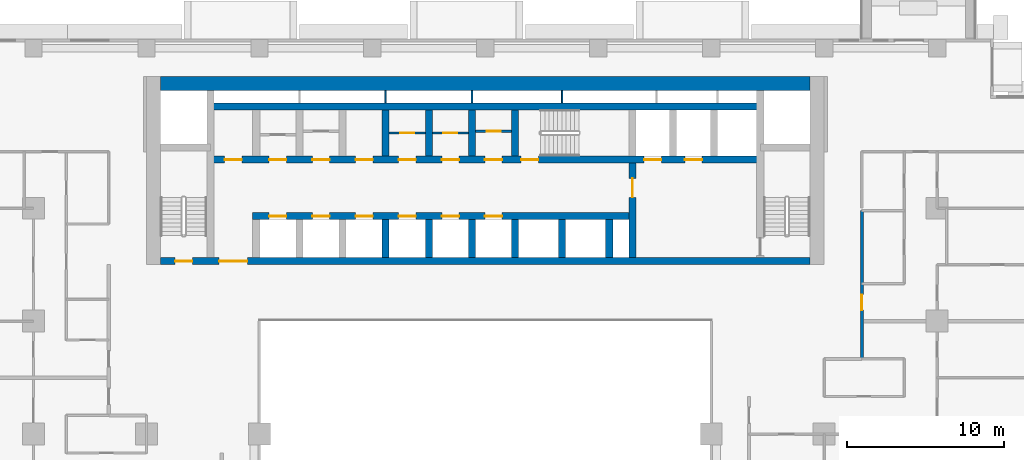
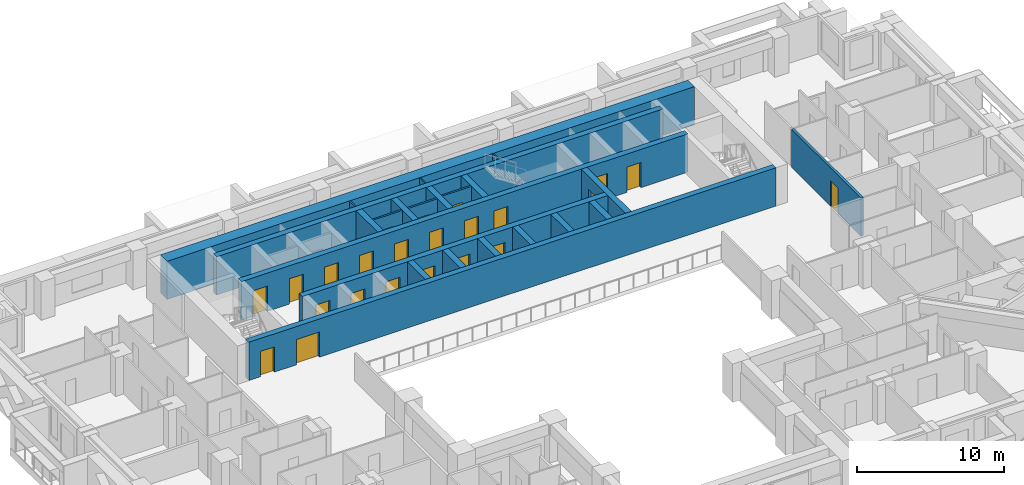
# One storey, part 10 of 17: 23 doors, 23 walls, 23 openings.
"""IFC4 building model written with IfcOpenShell, lengths in metres."""

from ifc_helpers import new_model, si_unit, direction, frame, frame_2d, origin, place, context, subcontext, project, spatial, rectangle, extrude, material, layer, layer_set, type_object, element, fill, save


model = new_model("IFC4")

# Units and contexts
model_context = context("Model", 3, precision=1e-05, world=origin(), true_north=direction((0.0, 1.0)))
body_context = subcontext(model_context, "Body", "Model", "MODEL_VIEW")
ifc_project = project(units=[si_unit("LENGTHUNIT", "METRE"), si_unit("AREAUNIT", "SQUARE_METRE"), si_unit("VOLUMEUNIT", "CUBIC_METRE"), si_unit("PLANEANGLEUNIT", "RADIAN"), si_unit("MASSUNIT", "GRAM", prefix="KILO")], contexts=[model_context])

# Site, building, storey
site_placement = place(None, origin())
site = spatial("IfcSite", under=ifc_project, at=site_placement, CompositionType="ELEMENT")
building_placement = place(site_placement, origin())
building = spatial("IfcBuilding", under=site, at=building_placement, Name="Saffron Iwan Residences", CompositionType="ELEMENT")
storey_placement = place(building_placement, frame((0.0, 0.0, 41.0)))
storey = spatial("IfcBuildingStorey", under=building, at=storey_placement, Name="L09", CompositionType="ELEMENT", Elevation=41.0)

# Wall, opening, door
ifc_material_1 = material(Name="Fire-rated plasterboard partition")
ifc_layer_1 = layer(ifc_material_1, 0.14990234375)
ifc_layer_set_1 = layer_set([ifc_layer_1], Name="Fire-rated plasterboard partition")
wall_type_1 = type_object("IfcWallType", Name="Core partition 150", PredefinedType="PARTITIONING", material=ifc_layer_set_1)
wall_1_placement = place(storey_placement, frame((44.27490234375, 74.39990234375, 0.0), z_axis=(0.0, 0.0, 1.0), x_axis=(1.0, 0.0, 0.0)))
wall_1 = element("IfcWall", 1, at=wall_1_placement, inside=storey, type_object=wall_type_1, Name="Core partition P03", PredefinedType="PARTITIONING", context=body_context, shape_type="SweptSolid", body=[
    extrude(rectangle(XDim=2.300048828125, YDim=0.14990234375, at=frame_2d((1.14990234375, 0.0))), origin(), (0.0, 0.0, 1.0), 3.179931640625),
])
opening_1_placement = place(wall_1_placement, frame((0.699951171875, 0.0, 0.0)))
opening_1 = element("IfcOpeningElement", 2, at=opening_1_placement, cuts=wall_1, Name="Opening SB", PredefinedType="OPENING", context=body_context, shape_type="SweptSolid", body=[
    extrude(rectangle(XDim=0.89990234375, YDim=2.10009765625, at=frame_2d((0.449951171875, 1.050048828125))), frame((0.0, 0.0849609375, 0.0), z_axis=(0.0, -1.0, 0.0), x_axis=(1.0, 0.0, 0.0)), (0.0, 0.0, 1.0), 0.169921875),
])
ifc_material_2 = material(Name="Steel fire door", Category="steel")
door_type_1 = type_object("IfcDoorType", Name="Store door 900", OperationType="NOTDEFINED", PredefinedType="DOOR", material=ifc_material_2)
door_1_placement = place(opening_1_placement, origin())
door_1 = element("IfcDoor", 3, at=door_1_placement, inside=storey, type_object=door_type_1, Name="Door Equipment store", OperationType="SINGLE_SWING_RIGHT", OverallHeight=2.10009765625, OverallWidth=0.89990234375, PredefinedType="DOOR", context=body_context, shape_type="SweptSolid", body=[
    extrude(rectangle(XDim=0.89990234375, YDim=2.10009765625, at=frame_2d((0.449951171875, 1.050048828125))), frame((0.0, 0.02490234375, 0.0), z_axis=(0.0, -1.0, 0.0), x_axis=(1.0, 0.0, 0.0)), (0.0, 0.0, 1.0), 0.050048828125),
])
fill(opening_1, door_1)

wall_2_placement = place(storey_placement, frame((47.02490234375, 74.39990234375, 0.0), z_axis=(0.0, 0.0, 1.0), x_axis=(1.0, 0.0, 0.0)))
wall_2 = element("IfcWall", 4, at=wall_2_placement, inside=storey, type_object=wall_type_1, Name="Core partition P04", PredefinedType="PARTITIONING", context=body_context, shape_type="SweptSolid", body=[
    extrude(rectangle(XDim=2.300048828125, YDim=0.14990234375, at=frame_2d((1.14990234375, 0.0))), origin(), (0.0, 0.0, 1.0), 3.179931640625),
])
opening_2_placement = place(wall_2_placement, frame((0.699951171875, 0.0, 0.0)))
opening_2 = element("IfcOpeningElement", 5, at=opening_2_placement, cuts=wall_2, Name="Opening SB", PredefinedType="OPENING", context=body_context, shape_type="SweptSolid", body=[
    extrude(rectangle(XDim=0.89990234375, YDim=2.10009765625, at=frame_2d((0.449951171875, 1.050048828125))), frame((0.0, 0.0849609375, 0.0), z_axis=(0.0, -1.0, 0.0), x_axis=(1.0, 0.0, 0.0)), (0.0, 0.0, 1.0), 0.169921875),
])
door_2_placement = place(opening_2_placement, origin())
door_2 = element("IfcDoor", 6, at=door_2_placement, inside=storey, type_object=door_type_1, Name="Door Mop store", OperationType="SINGLE_SWING_LEFT", OverallHeight=2.10009765625, OverallWidth=0.89990234375, PredefinedType="DOOR", context=body_context, shape_type="SweptSolid", body=[
    extrude(rectangle(XDim=0.89990234375, YDim=2.10009765625, at=frame_2d((0.449951171875, 1.050048828125))), frame((0.0, 0.02490234375, 0.0), z_axis=(0.0, -1.0, 0.0), x_axis=(1.0, 0.0, 0.0)), (0.0, 0.0, 1.0), 0.050048828125),
])
fill(opening_2, door_2)

wall_3_placement = place(storey_placement, frame((49.77490234375, 74.51806640625, 0.0), z_axis=(0.0, 0.0, 1.0), x_axis=(1.0, 0.0, 0.0)))
wall_3 = element("IfcWall", 7, at=wall_3_placement, inside=storey, type_object=wall_type_1, Name="Core partition P05", PredefinedType="PARTITIONING", context=body_context, shape_type="SweptSolid", body=[
    extrude(rectangle(XDim=2.300048828125, YDim=0.14990234375, at=frame_2d((1.14990234375, 0.0))), origin(), (0.0, 0.0, 1.0), 3.179931640625),
])
opening_3_placement = place(wall_3_placement, frame((0.699951171875, 0.0, 0.0)))
opening_3 = element("IfcOpeningElement", 8, at=opening_3_placement, cuts=wall_3, Name="Opening SB", PredefinedType="OPENING", context=body_context, shape_type="SweptSolid", body=[
    extrude(rectangle(XDim=0.89990234375, YDim=2.10009765625, at=frame_2d((0.449951171875, 1.050048828125))), frame((0.0, 0.0849609375, 0.0), z_axis=(0.0, -1.0, 0.0), x_axis=(1.0, 0.0, 0.0)), (0.0, 0.0, 1.0), 0.169921875),
])
door_3_placement = place(opening_3_placement, origin())
door_3 = element("IfcDoor", 9, at=door_3_placement, inside=storey, type_object=door_type_1, Name="Door Spares store", OperationType="SINGLE_SWING_LEFT", OverallHeight=2.10009765625, OverallWidth=0.89990234375, PredefinedType="DOOR", context=body_context, shape_type="SweptSolid", body=[
    extrude(rectangle(XDim=0.89990234375, YDim=2.10009765625, at=frame_2d((0.449951171875, 1.050048828125))), frame((0.0, 0.02490234375, 0.0), z_axis=(0.0, -1.0, 0.0), x_axis=(1.0, 0.0, 0.0)), (0.0, 0.0, 1.0), 0.050048828125),
])
fill(opening_3, door_3)

ifc_material_3 = material(Name="Fire-rated gypsum board wall")
ifc_layer_2 = layer(ifc_material_3, 0.199951171875)
ifc_layer_set_2 = layer_set([ifc_layer_2], Name="Fire-rated gypsum board wall")
wall_type_2 = type_object("IfcWallType", Name="Gallery wall 200", PredefinedType="SOLIDWALL", material=ifc_layer_set_2)
wall_4_placement = place(storey_placement, frame((74.39990234375, 60.0, 0.0), z_axis=(0.0, 0.0, 1.0), x_axis=(0.0, 1.0, 0.0)))
wall_4 = element("IfcWall", 10, at=wall_4_placement, inside=storey, type_object=wall_type_2, Name="W-L09-CORR-v74.4-60", PredefinedType="SOLIDWALL", context=body_context, shape_type="SweptSolid", body=[
    extrude(rectangle(XDim=9.449951171875, YDim=0.199951171875, at=frame_2d((4.72509765625, 0.0))), origin(), (0.0, 0.0, 1.0), 3.179931640625),
])
opening_4_placement = place(wall_4_placement, frame((3.10009765625, 0.0, 0.0)))
opening_4 = element("IfcOpeningElement", 11, at=opening_4_placement, cuts=wall_4, Name="Opening FD1", PredefinedType="OPENING", context=body_context, shape_type="SweptSolid", body=[
    extrude(rectangle(XDim=1.0, YDim=2.10009765625, at=frame_2d((0.5, 1.050048828125))), frame((0.0, 0.10986328125, 0.0), z_axis=(0.0, -1.0, 0.0), x_axis=(1.0, 0.0, 0.0)), (0.0, 0.0, 1.0), 0.219970703125),
])
ifc_material_4 = material(Name="Fire-rated timber door", Category="wood")
door_type_2 = type_object("IfcDoorType", Name="FD30S flat entrance door 1000", OperationType="NOTDEFINED", PredefinedType="DOOR", material=ifc_material_4)
door_4_placement = place(opening_4_placement, origin())
door_4 = element("IfcDoor", 12, at=door_4_placement, inside=storey, type_object=door_type_2, Name="Door L09-035", OperationType="SINGLE_SWING_LEFT", OverallHeight=2.10009765625, OverallWidth=1.0, PredefinedType="DOOR", context=body_context, shape_type="SweptSolid", body=[
    extrude(rectangle(XDim=1.0, YDim=2.10009765625, at=frame_2d((0.5, 1.050048828125))), frame((0.0, 0.02490234375, 0.0), z_axis=(0.0, -1.0, 0.0), x_axis=(1.0, 0.0, 0.0)), (0.0, 0.0, 1.0), 0.050048828125),
])
fill(opening_4, door_4)

# Walls
ifc_layer_3 = layer(ifc_material_1, 0.10009765625)
ifc_layer_set_3 = layer_set([ifc_layer_3], Name="Fire-rated plasterboard partition")
wall_type_3 = type_object("IfcWallType", Name="Riser partition 100", PredefinedType="PARTITIONING", material=ifc_layer_set_3)
for number, where, z_axis, x_axis, name in (
    (13, (44.050048828125, 76.324951171875, 0.0), (0.0, 0.0, 1.0), (0.0, 1.0, 0.0), "Core partition P07"),
    (14, (49.550048828125, 76.324951171875, 0.0), (0.0, 0.0, 1.0), (0.0, 1.0, 0.0), "Core partition P08"),
    (15, (55.300048828125, 76.324951171875, 0.0), (0.0, 0.0, 1.0), (0.0, 1.0, 0.0), "Core partition P09"),
):
    element("IfcWall", number, at=place(storey_placement, frame(where, z_axis=z_axis, x_axis=x_axis)), inside=storey, type_object=wall_type_3, Name=name, PredefinedType="PARTITIONING", context=body_context, shape_type="SweptSolid", body=[
        extrude(rectangle(XDim=0.775146484375, YDim=0.10009765625, at=frame_2d((0.3876953125, 0.0))), origin(), (0.0, 0.0, 1.0), 3.179931640625),
    ])

# Wall, openings, doors
ifc_material_5 = material(Name="Concrete C60/75", Category="concrete")
ifc_layer_4 = layer(ifc_material_5, 0.449951171875)
ifc_layer_set_4 = layer_set([ifc_layer_4], Name="Concrete C60/75")
wall_type_4 = type_object("IfcWallType", Name="WALL CORE 450 C60/75 3180 HIGH", PredefinedType="SHEAR", material=ifc_layer_set_4)
wall_5_placement = place(storey_placement, frame((29.699951171875, 66.22509765625, 0.0), z_axis=(0.0, 0.0, 1.0), x_axis=(1.0, 0.0, 0.0)))
wall_5 = element("IfcWall", 16, at=wall_5_placement, inside=storey, type_object=wall_type_4, Name="Core wall", PredefinedType="SHEAR", context=body_context, shape_type="SweptSolid", body=[
    extrude(rectangle(XDim=41.400146484375, YDim=0.449951171875, at=frame_2d((20.7001953125, 0.0))), origin(), (0.0, 0.0, 1.0), 3.179931640625),
])
opening_5_placement = place(wall_5_placement, frame((0.925048828125, 0.0, 0.0)))
opening_5 = element("IfcOpeningElement", 17, at=opening_5_placement, cuts=wall_5, Name="Opening SD", PredefinedType="OPENING", context=body_context, shape_type="SweptSolid", body=[
    extrude(rectangle(XDim=1.10009765625, YDim=2.10009765625, at=frame_2d((0.550048828125, 1.050048828125))), frame((0.0, 0.23486328125, 0.0), z_axis=(0.0, -1.0, 0.0), x_axis=(1.0, 0.0, 0.0)), (0.0, 0.0, 1.0), 0.469970703125),
])
opening_6_placement = place(wall_5_placement, frame((3.737548828125, 0.0, 0.0)))
opening_6 = element("IfcOpeningElement", 18, at=opening_6_placement, cuts=wall_5, Name="Opening DD", PredefinedType="OPENING", context=body_context, shape_type="SweptSolid", body=[
    extrude(rectangle(XDim=1.800048828125, YDim=2.10009765625, at=frame_2d((0.89990234375, 1.050048828125))), frame((0.0, 0.23486328125, 0.0), z_axis=(0.0, -1.0, 0.0), x_axis=(1.0, 0.0, 0.0)), (0.0, 0.0, 1.0), 0.469970703125),
])
door_type_3 = type_object("IfcDoorType", Name="Lobby double door 1800", OperationType="DOUBLE_DOOR_SINGLE_SWING", PredefinedType="DOOR", material=ifc_material_2)
door_5_placement = place(opening_6_placement, origin())
door_5 = element("IfcDoor", 19, at=door_5_placement, inside=storey, type_object=door_type_3, Name="Lobby doors", OperationType="DOUBLE_DOOR_SINGLE_SWING", OverallHeight=2.10009765625, OverallWidth=1.800048828125, PredefinedType="DOOR", context=body_context, shape_type="SweptSolid", body=[
    extrude(rectangle(XDim=1.800048828125, YDim=2.10009765625, at=frame_2d((0.89990234375, 1.050048828125))), frame((0.0, 0.02490234375, 0.0), z_axis=(0.0, -1.0, 0.0), x_axis=(1.0, 0.0, 0.0)), (0.0, 0.0, 1.0), 0.050048828125),
])
fill(opening_6, door_5)
door_type_4 = type_object("IfcDoorType", Name="Stair door 1100", OperationType="NOTDEFINED", PredefinedType="DOOR", material=ifc_material_2)
door_6_placement = place(opening_5_placement, origin())
door_6 = element("IfcDoor", 20, at=door_6_placement, inside=storey, type_object=door_type_4, Name="Stair door ST-W", OperationType="SINGLE_SWING_LEFT", OverallHeight=2.10009765625, OverallWidth=1.10009765625, PredefinedType="DOOR", context=body_context, shape_type="SweptSolid", body=[
    extrude(rectangle(XDim=1.10009765625, YDim=2.10009765625, at=frame_2d((0.550048828125, 1.050048828125))), frame((0.0, 0.02490234375, 0.0), z_axis=(0.0, -1.0, 0.0), x_axis=(1.0, 0.0, 0.0)), (0.0, 0.0, 1.0), 0.050048828125),
])
fill(opening_5, door_6)

wall_6_placement = place(storey_placement, frame((35.574951171875, 69.10009765625, 0.0), z_axis=(0.0, 0.0, 1.0), x_axis=(1.0, 0.0, 0.0)))
wall_6 = element("IfcWall", 21, at=wall_6_placement, inside=storey, type_object=wall_type_4, Name="Core wall", PredefinedType="SHEAR", context=body_context, shape_type="SweptSolid", body=[
    extrude(rectangle(XDim=24.199951171875, YDim=0.449951171875, at=frame_2d((12.10009765625, 0.0))), origin(), (0.0, 0.0, 1.0), 3.179931640625),
])
opening_7_placement = place(wall_6_placement, frame((1.050048828125, 0.0, 0.0)))
opening_7 = element("IfcOpeningElement", 22, at=opening_7_placement, cuts=wall_6, Name="Opening LD", PredefinedType="OPENING", context=body_context, shape_type="SweptSolid", body=[
    extrude(rectangle(XDim=1.10009765625, YDim=2.10009765625, at=frame_2d((0.550048828125, 1.050048828125))), frame((0.0, 0.23486328125, 0.0), z_axis=(0.0, -1.0, 0.0), x_axis=(1.0, 0.0, 0.0)), (0.0, 0.0, 1.0), 0.469970703125),
])
opening_8_placement = place(wall_6_placement, frame((3.800048828125, 0.0, 0.0)))
opening_8 = element("IfcOpeningElement", 23, at=opening_8_placement, cuts=wall_6, Name="Opening LD", PredefinedType="OPENING", context=body_context, shape_type="SweptSolid", body=[
    extrude(rectangle(XDim=1.10009765625, YDim=2.10009765625, at=frame_2d((0.550048828125, 1.050048828125))), frame((0.0, 0.23486328125, 0.0), z_axis=(0.0, -1.0, 0.0), x_axis=(1.0, 0.0, 0.0)), (0.0, 0.0, 1.0), 0.469970703125),
])
opening_9_placement = place(wall_6_placement, frame((6.550048828125, 0.0, 0.0)))
opening_9 = element("IfcOpeningElement", 24, at=opening_9_placement, cuts=wall_6, Name="Opening LD", PredefinedType="OPENING", context=body_context, shape_type="SweptSolid", body=[
    extrude(rectangle(XDim=1.10009765625, YDim=2.10009765625, at=frame_2d((0.550048828125, 1.050048828125))), frame((0.0, 0.23486328125, 0.0), z_axis=(0.0, -1.0, 0.0), x_axis=(1.0, 0.0, 0.0)), (0.0, 0.0, 1.0), 0.469970703125),
])
opening_10_placement = place(wall_6_placement, frame((9.300048828125, 0.0, 0.0)))
opening_10 = element("IfcOpeningElement", 25, at=opening_10_placement, cuts=wall_6, Name="Opening LD", PredefinedType="OPENING", context=body_context, shape_type="SweptSolid", body=[
    extrude(rectangle(XDim=1.10009765625, YDim=2.10009765625, at=frame_2d((0.550048828125, 1.050048828125))), frame((0.0, 0.23486328125, 0.0), z_axis=(0.0, -1.0, 0.0), x_axis=(1.0, 0.0, 0.0)), (0.0, 0.0, 1.0), 0.469970703125),
])
opening_11_placement = place(wall_6_placement, frame((12.050048828125, 0.0, 0.0)))
opening_11 = element("IfcOpeningElement", 26, at=opening_11_placement, cuts=wall_6, Name="Opening LD", PredefinedType="OPENING", context=body_context, shape_type="SweptSolid", body=[
    extrude(rectangle(XDim=1.10009765625, YDim=2.10009765625, at=frame_2d((0.550048828125, 1.050048828125))), frame((0.0, 0.23486328125, 0.0), z_axis=(0.0, -1.0, 0.0), x_axis=(1.0, 0.0, 0.0)), (0.0, 0.0, 1.0), 0.469970703125),
])
opening_12_placement = place(wall_6_placement, frame((14.800048828125, 0.0, 0.0)))
opening_12 = element("IfcOpeningElement", 27, at=opening_12_placement, cuts=wall_6, Name="Opening LD", PredefinedType="OPENING", context=body_context, shape_type="SweptSolid", body=[
    extrude(rectangle(XDim=1.10009765625, YDim=2.10009765625, at=frame_2d((0.550048828125, 1.050048828125))), frame((0.0, 0.23486328125, 0.0), z_axis=(0.0, -1.0, 0.0), x_axis=(1.0, 0.0, 0.0)), (0.0, 0.0, 1.0), 0.469970703125),
])
door_type_5 = type_object("IfcDoorType", Name="Lift landing door 1100", OperationType="SLIDING_TO_LEFT", PredefinedType="DOOR", material=ifc_material_2)
door_7_placement = place(opening_7_placement, origin())
door_7 = element("IfcDoor", 28, at=door_7_placement, inside=storey, type_object=door_type_5, Name="Landing doors LR1", OperationType="SLIDING_TO_LEFT", OverallHeight=2.10009765625, OverallWidth=1.10009765625, PredefinedType="DOOR", context=body_context, shape_type="SweptSolid", body=[
    extrude(rectangle(XDim=1.10009765625, YDim=2.10009765625, at=frame_2d((0.550048828125, 1.050048828125))), frame((0.0, 0.02490234375, 0.0), z_axis=(0.0, -1.0, 0.0), x_axis=(1.0, 0.0, 0.0)), (0.0, 0.0, 1.0), 0.050048828125),
])
fill(opening_7, door_7)
door_8_placement = place(opening_8_placement, origin())
door_8 = element("IfcDoor", 29, at=door_8_placement, inside=storey, type_object=door_type_5, Name="Landing doors LR2", OperationType="SLIDING_TO_LEFT", OverallHeight=2.10009765625, OverallWidth=1.10009765625, PredefinedType="DOOR", context=body_context, shape_type="SweptSolid", body=[
    extrude(rectangle(XDim=1.10009765625, YDim=2.10009765625, at=frame_2d((0.550048828125, 1.050048828125))), frame((0.0, 0.02490234375, 0.0), z_axis=(0.0, -1.0, 0.0), x_axis=(1.0, 0.0, 0.0)), (0.0, 0.0, 1.0), 0.050048828125),
])
fill(opening_8, door_8)
door_9_placement = place(opening_9_placement, origin())
door_9 = element("IfcDoor", 30, at=door_9_placement, inside=storey, type_object=door_type_5, Name="Landing doors LR3", OperationType="SLIDING_TO_LEFT", OverallHeight=2.10009765625, OverallWidth=1.10009765625, PredefinedType="DOOR", context=body_context, shape_type="SweptSolid", body=[
    extrude(rectangle(XDim=1.10009765625, YDim=2.10009765625, at=frame_2d((0.550048828125, 1.050048828125))), frame((0.0, 0.02490234375, 0.0), z_axis=(0.0, -1.0, 0.0), x_axis=(1.0, 0.0, 0.0)), (0.0, 0.0, 1.0), 0.050048828125),
])
fill(opening_9, door_9)
door_10_placement = place(opening_10_placement, origin())
door_10 = element("IfcDoor", 31, at=door_10_placement, inside=storey, type_object=door_type_5, Name="Landing doors LR4", OperationType="SLIDING_TO_LEFT", OverallHeight=2.10009765625, OverallWidth=1.10009765625, PredefinedType="DOOR", context=body_context, shape_type="SweptSolid", body=[
    extrude(rectangle(XDim=1.10009765625, YDim=2.10009765625, at=frame_2d((0.550048828125, 1.050048828125))), frame((0.0, 0.02490234375, 0.0), z_axis=(0.0, -1.0, 0.0), x_axis=(1.0, 0.0, 0.0)), (0.0, 0.0, 1.0), 0.050048828125),
])
fill(opening_10, door_10)
door_11_placement = place(opening_11_placement, origin())
door_11 = element("IfcDoor", 32, at=door_11_placement, inside=storey, type_object=door_type_5, Name="Landing doors LR5", OperationType="SLIDING_TO_LEFT", OverallHeight=2.10009765625, OverallWidth=1.10009765625, PredefinedType="DOOR", context=body_context, shape_type="SweptSolid", body=[
    extrude(rectangle(XDim=1.10009765625, YDim=2.10009765625, at=frame_2d((0.550048828125, 1.050048828125))), frame((0.0, 0.02490234375, 0.0), z_axis=(0.0, -1.0, 0.0), x_axis=(1.0, 0.0, 0.0)), (0.0, 0.0, 1.0), 0.050048828125),
])
fill(opening_11, door_11)
door_12_placement = place(opening_12_placement, origin())
door_12 = element("IfcDoor", 33, at=door_12_placement, inside=storey, type_object=door_type_5, Name="Landing doors LR6", OperationType="SLIDING_TO_LEFT", OverallHeight=2.10009765625, OverallWidth=1.10009765625, PredefinedType="DOOR", context=body_context, shape_type="SweptSolid", body=[
    extrude(rectangle(XDim=1.10009765625, YDim=2.10009765625, at=frame_2d((0.550048828125, 1.050048828125))), frame((0.0, 0.02490234375, 0.0), z_axis=(0.0, -1.0, 0.0), x_axis=(1.0, 0.0, 0.0)), (0.0, 0.0, 1.0), 0.050048828125),
])
fill(opening_12, door_12)

wall_7_placement = place(storey_placement, frame((32.875, 72.699951171875, 0.0), z_axis=(0.0, 0.0, 1.0), x_axis=(1.0, 0.0, 0.0)))
wall_7 = element("IfcWall", 34, at=wall_7_placement, inside=storey, type_object=wall_type_4, Name="Core wall", PredefinedType="SHEAR", context=body_context, shape_type="SweptSolid", body=[
    extrude(rectangle(XDim=35.050048828125, YDim=0.449951171875, at=frame_2d((17.52490234375, 0.0))), origin(), (0.0, 0.0, 1.0), 3.179931640625),
])
opening_13_placement = place(wall_7_placement, frame((19.800048828125, 0.0, 0.0)))
opening_13 = element("IfcOpeningElement", 35, at=opening_13_placement, cuts=wall_7, Name="Opening SD", PredefinedType="OPENING", context=body_context, shape_type="SweptSolid", body=[
    extrude(rectangle(XDim=1.10009765625, YDim=2.10009765625, at=frame_2d((0.550048828125, 1.050048828125))), frame((0.0, 0.23486328125, 0.0), z_axis=(0.0, -1.0, 0.0), x_axis=(1.0, 0.0, 0.0)), (0.0, 0.0, 1.0), 0.469970703125),
])
opening_14_placement = place(wall_7_placement, frame((27.64990234375, 0.0, 0.0)))
opening_14 = element("IfcOpeningElement", 36, at=opening_14_placement, cuts=wall_7, Name="Opening LD", PredefinedType="OPENING", context=body_context, shape_type="SweptSolid", body=[
    extrude(rectangle(XDim=1.10009765625, YDim=2.10009765625, at=frame_2d((0.550048828125, 1.050048828125))), frame((0.0, 0.23486328125, 0.0), z_axis=(0.0, -1.0, 0.0), x_axis=(1.0, 0.0, 0.0)), (0.0, 0.0, 1.0), 0.469970703125),
])
opening_15_placement = place(wall_7_placement, frame((30.25, 0.0, 0.0)))
opening_15 = element("IfcOpeningElement", 37, at=opening_15_placement, cuts=wall_7, Name="Opening LD", PredefinedType="OPENING", context=body_context, shape_type="SweptSolid", body=[
    extrude(rectangle(XDim=1.10009765625, YDim=2.10009765625, at=frame_2d((0.550048828125, 1.050048828125))), frame((0.0, 0.23486328125, 0.0), z_axis=(0.0, -1.0, 0.0), x_axis=(1.0, 0.0, 0.0)), (0.0, 0.0, 1.0), 0.469970703125),
])
opening_16_placement = place(wall_7_placement, frame((3.75, 0.0, 0.0)))
opening_16 = element("IfcOpeningElement", 38, at=opening_16_placement, cuts=wall_7, Name="Opening SR", PredefinedType="OPENING", context=body_context, shape_type="SweptSolid", body=[
    extrude(rectangle(XDim=1.10009765625, YDim=2.10009765625, at=frame_2d((0.550048828125, 1.050048828125))), frame((0.0, 0.23486328125, 0.0), z_axis=(0.0, -1.0, 0.0), x_axis=(1.0, 0.0, 0.0)), (0.0, 0.0, 1.0), 0.469970703125),
])
opening_17_placement = place(wall_7_placement, frame((6.5, 0.0, 0.0)))
opening_17 = element("IfcOpeningElement", 39, at=opening_17_placement, cuts=wall_7, Name="Opening SR", PredefinedType="OPENING", context=body_context, shape_type="SweptSolid", body=[
    extrude(rectangle(XDim=1.10009765625, YDim=2.10009765625, at=frame_2d((0.550048828125, 1.050048828125))), frame((0.0, 0.23486328125, 0.0), z_axis=(0.0, -1.0, 0.0), x_axis=(1.0, 0.0, 0.0)), (0.0, 0.0, 1.0), 0.469970703125),
])
opening_18_placement = place(wall_7_placement, frame((9.25, 0.0, 0.0)))
opening_18 = element("IfcOpeningElement", 40, at=opening_18_placement, cuts=wall_7, Name="Opening SR", PredefinedType="OPENING", context=body_context, shape_type="SweptSolid", body=[
    extrude(rectangle(XDim=1.10009765625, YDim=2.10009765625, at=frame_2d((0.550048828125, 1.050048828125))), frame((0.0, 0.23486328125, 0.0), z_axis=(0.0, -1.0, 0.0), x_axis=(1.0, 0.0, 0.0)), (0.0, 0.0, 1.0), 0.469970703125),
])
opening_19_placement = place(wall_7_placement, frame((12.0, 0.0, 0.0)))
opening_19 = element("IfcOpeningElement", 41, at=opening_19_placement, cuts=wall_7, Name="Opening SR", PredefinedType="OPENING", context=body_context, shape_type="SweptSolid", body=[
    extrude(rectangle(XDim=1.10009765625, YDim=2.10009765625, at=frame_2d((0.550048828125, 1.050048828125))), frame((0.0, 0.23486328125, 0.0), z_axis=(0.0, -1.0, 0.0), x_axis=(1.0, 0.0, 0.0)), (0.0, 0.0, 1.0), 0.469970703125),
])
opening_20_placement = place(wall_7_placement, frame((14.75, 0.0, 0.0)))
opening_20 = element("IfcOpeningElement", 42, at=opening_20_placement, cuts=wall_7, Name="Opening SR", PredefinedType="OPENING", context=body_context, shape_type="SweptSolid", body=[
    extrude(rectangle(XDim=1.10009765625, YDim=2.10009765625, at=frame_2d((0.550048828125, 1.050048828125))), frame((0.0, 0.23486328125, 0.0), z_axis=(0.0, -1.0, 0.0), x_axis=(1.0, 0.0, 0.0)), (0.0, 0.0, 1.0), 0.469970703125),
])
opening_21_placement = place(wall_7_placement, frame((17.5, 0.0, 0.0)))
opening_21 = element("IfcOpeningElement", 43, at=opening_21_placement, cuts=wall_7, Name="Opening SR", PredefinedType="OPENING", context=body_context, shape_type="SweptSolid", body=[
    extrude(rectangle(XDim=1.10009765625, YDim=2.10009765625, at=frame_2d((0.550048828125, 1.050048828125))), frame((0.0, 0.23486328125, 0.0), z_axis=(0.0, -1.0, 0.0), x_axis=(1.0, 0.0, 0.0)), (0.0, 0.0, 1.0), 0.469970703125),
])
opening_22_placement = place(wall_7_placement, frame((0.91259765625, 0.0, 0.0)))
opening_22 = element("IfcOpeningElement", 44, at=opening_22_placement, cuts=wall_7, Name="Opening SR", PredefinedType="OPENING", context=body_context, shape_type="SweptSolid", body=[
    extrude(rectangle(XDim=1.10009765625, YDim=2.10009765625, at=frame_2d((0.550048828125, 1.050048828125))), frame((0.0, 0.23486328125, 0.0), z_axis=(0.0, -1.0, 0.0), x_axis=(1.0, 0.0, 0.0)), (0.0, 0.0, 1.0), 0.469970703125),
])
door_13_placement = place(opening_14_placement, origin())
door_13 = element("IfcDoor", 45, at=door_13_placement, inside=storey, type_object=door_type_5, Name="Landing doors FF1", OperationType="SLIDING_TO_LEFT", OverallHeight=2.10009765625, OverallWidth=1.10009765625, PredefinedType="DOOR", context=body_context, shape_type="SweptSolid", body=[
    extrude(rectangle(XDim=1.10009765625, YDim=2.10009765625, at=frame_2d((0.550048828125, 1.050048828125))), frame((0.0, 0.02490234375, 0.0), z_axis=(0.0, -1.0, 0.0), x_axis=(1.0, 0.0, 0.0)), (0.0, 0.0, 1.0), 0.050048828125),
])
fill(opening_14, door_13)
door_14_placement = place(opening_15_placement, origin())
door_14 = element("IfcDoor", 46, at=door_14_placement, inside=storey, type_object=door_type_5, Name="Landing doors FF2", OperationType="SLIDING_TO_LEFT", OverallHeight=2.10009765625, OverallWidth=1.10009765625, PredefinedType="DOOR", context=body_context, shape_type="SweptSolid", body=[
    extrude(rectangle(XDim=1.10009765625, YDim=2.10009765625, at=frame_2d((0.550048828125, 1.050048828125))), frame((0.0, 0.02490234375, 0.0), z_axis=(0.0, -1.0, 0.0), x_axis=(1.0, 0.0, 0.0)), (0.0, 0.0, 1.0), 0.050048828125),
])
fill(opening_15, door_14)
door_type_6 = type_object("IfcDoorType", Name="Service door 1100", OperationType="NOTDEFINED", PredefinedType="DOOR", material=ifc_material_2)
door_15_placement = place(opening_16_placement, origin())
door_15 = element("IfcDoor", 47, at=door_15_placement, inside=storey, type_object=door_type_6, Name="Door Switch room", OperationType="SINGLE_SWING_LEFT", OverallHeight=2.10009765625, OverallWidth=1.10009765625, PredefinedType="DOOR", context=body_context, shape_type="SweptSolid", body=[
    extrude(rectangle(XDim=1.10009765625, YDim=2.10009765625, at=frame_2d((0.550048828125, 1.050048828125))), frame((0.0, 0.02490234375, 0.0), z_axis=(0.0, -1.0, 0.0), x_axis=(1.0, 0.0, 0.0)), (0.0, 0.0, 1.0), 0.050048828125),
])
fill(opening_16, door_15)
door_16_placement = place(opening_17_placement, origin())
door_16 = element("IfcDoor", 48, at=door_16_placement, inside=storey, type_object=door_type_6, Name="Door Furniture store", OperationType="SINGLE_SWING_LEFT", OverallHeight=2.10009765625, OverallWidth=1.10009765625, PredefinedType="DOOR", context=body_context, shape_type="SweptSolid", body=[
    extrude(rectangle(XDim=1.10009765625, YDim=2.10009765625, at=frame_2d((0.550048828125, 1.050048828125))), frame((0.0, 0.02490234375, 0.0), z_axis=(0.0, -1.0, 0.0), x_axis=(1.0, 0.0, 0.0)), (0.0, 0.0, 1.0), 0.050048828125),
])
fill(opening_17, door_16)
door_17_placement = place(opening_18_placement, origin())
door_17 = element("IfcDoor", 49, at=door_17_placement, inside=storey, type_object=door_type_6, Name="Door Housekeeping store", OperationType="SINGLE_SWING_LEFT", OverallHeight=2.10009765625, OverallWidth=1.10009765625, PredefinedType="DOOR", context=body_context, shape_type="SweptSolid", body=[
    extrude(rectangle(XDim=1.10009765625, YDim=2.10009765625, at=frame_2d((0.550048828125, 1.050048828125))), frame((0.0, 0.02490234375, 0.0), z_axis=(0.0, -1.0, 0.0), x_axis=(1.0, 0.0, 0.0)), (0.0, 0.0, 1.0), 0.050048828125),
])
fill(opening_18, door_17)
door_18_placement = place(opening_19_placement, origin())
door_18 = element("IfcDoor", 50, at=door_18_placement, inside=storey, type_object=door_type_6, Name="Door Cleaner's store", OperationType="SINGLE_SWING_LEFT", OverallHeight=2.10009765625, OverallWidth=1.10009765625, PredefinedType="DOOR", context=body_context, shape_type="SweptSolid", body=[
    extrude(rectangle(XDim=1.10009765625, YDim=2.10009765625, at=frame_2d((0.550048828125, 1.050048828125))), frame((0.0, 0.02490234375, 0.0), z_axis=(0.0, -1.0, 0.0), x_axis=(1.0, 0.0, 0.0)), (0.0, 0.0, 1.0), 0.050048828125),
])
fill(opening_19, door_18)
door_19_placement = place(opening_20_placement, origin())
door_19 = element("IfcDoor", 51, at=door_19_placement, inside=storey, type_object=door_type_6, Name="Door Trolley store", OperationType="SINGLE_SWING_LEFT", OverallHeight=2.10009765625, OverallWidth=1.10009765625, PredefinedType="DOOR", context=body_context, shape_type="SweptSolid", body=[
    extrude(rectangle(XDim=1.10009765625, YDim=2.10009765625, at=frame_2d((0.550048828125, 1.050048828125))), frame((0.0, 0.02490234375, 0.0), z_axis=(0.0, -1.0, 0.0), x_axis=(1.0, 0.0, 0.0)), (0.0, 0.0, 1.0), 0.050048828125),
])
fill(opening_20, door_19)
door_20_placement = place(opening_21_placement, origin())
door_20 = element("IfcDoor", 52, at=door_20_placement, inside=storey, type_object=door_type_6, Name="Door Communications room", OperationType="SINGLE_SWING_LEFT", OverallHeight=2.10009765625, OverallWidth=1.10009765625, PredefinedType="DOOR", context=body_context, shape_type="SweptSolid", body=[
    extrude(rectangle(XDim=1.10009765625, YDim=2.10009765625, at=frame_2d((0.550048828125, 1.050048828125))), frame((0.0, 0.02490234375, 0.0), z_axis=(0.0, -1.0, 0.0), x_axis=(1.0, 0.0, 0.0)), (0.0, 0.0, 1.0), 0.050048828125),
])
fill(opening_21, door_20)
door_21_placement = place(opening_22_placement, origin())
door_21 = element("IfcDoor", 53, at=door_21_placement, inside=storey, type_object=door_type_6, Name="Door Meter room", OperationType="SINGLE_SWING_LEFT", OverallHeight=2.10009765625, OverallWidth=1.10009765625, PredefinedType="DOOR", context=body_context, shape_type="SweptSolid", body=[
    extrude(rectangle(XDim=1.10009765625, YDim=2.10009765625, at=frame_2d((0.550048828125, 1.050048828125))), frame((0.0, 0.02490234375, 0.0), z_axis=(0.0, -1.0, 0.0), x_axis=(1.0, 0.0, 0.0)), (0.0, 0.0, 1.0), 0.050048828125),
])
fill(opening_22, door_21)
door_22_placement = place(opening_13_placement, origin())
door_22 = element("IfcDoor", 54, at=door_22_placement, inside=storey, type_object=door_type_4, Name="Stair door ST-C", OperationType="SINGLE_SWING_LEFT", OverallHeight=2.10009765625, OverallWidth=1.10009765625, PredefinedType="DOOR", context=body_context, shape_type="SweptSolid", body=[
    extrude(rectangle(XDim=1.10009765625, YDim=2.10009765625, at=frame_2d((0.550048828125, 1.050048828125))), frame((0.0, 0.02490234375, 0.0), z_axis=(0.0, -1.0, 0.0), x_axis=(1.0, 0.0, 0.0)), (0.0, 0.0, 1.0), 0.050048828125),
])
fill(opening_13, door_22)

# Wall
wall_8_placement = place(storey_placement, frame((32.875, 76.10009765625, 0.0), z_axis=(0.0, 0.0, 1.0), x_axis=(1.0, 0.0, 0.0)))
element("IfcWall", 55, at=wall_8_placement, inside=storey, type_object=wall_type_4, Name="Core wall", PredefinedType="SHEAR", context=body_context, shape_type="SweptSolid", body=[
    extrude(rectangle(XDim=35.050048828125, YDim=0.449951171875, at=frame_2d((17.52490234375, 0.0))), origin(), (0.0, 0.0, 1.0), 3.179931640625),
])

# Wall, opening, door
wall_9_placement = place(storey_placement, frame((59.77490234375, 66.449951171875, 0.0), z_axis=(0.0, 0.0, 1.0), x_axis=(0.0, 1.0, 0.0)))
wall_9 = element("IfcWall", 56, at=wall_9_placement, inside=storey, type_object=wall_type_4, Name="Core wall", PredefinedType="SHEAR", context=body_context, shape_type="SweptSolid", body=[
    extrude(rectangle(XDim=6.025146484375, YDim=0.449951171875, at=frame_2d((3.0126953125, 0.0))), origin(), (0.0, 0.0, 1.0), 3.179931640625),
])
opening_23_placement = place(wall_9_placement, frame((3.85009765625, 0.0, 0.0)))
opening_23 = element("IfcOpeningElement", 57, at=opening_23_placement, cuts=wall_9, Name="Opening FD", PredefinedType="OPENING", context=body_context, shape_type="SweptSolid", body=[
    extrude(rectangle(XDim=1.199951171875, YDim=2.10009765625, at=frame_2d((0.60009765625, 1.050048828125))), frame((0.0, 0.23486328125, 0.0), z_axis=(0.0, -1.0, 0.0), x_axis=(1.0, 0.0, 0.0)), (0.0, 0.0, 1.0), 0.469970703125),
])
door_type_7 = type_object("IfcDoorType", Name="Firefighting lobby door 1200", OperationType="NOTDEFINED", PredefinedType="DOOR", material=ifc_material_2)
door_23_placement = place(opening_23_placement, origin())
door_23 = element("IfcDoor", 58, at=door_23_placement, inside=storey, type_object=door_type_7, Name="Firefighting lobby door", OperationType="SINGLE_SWING_RIGHT", OverallHeight=2.10009765625, OverallWidth=1.199951171875, PredefinedType="DOOR", context=body_context, shape_type="SweptSolid", body=[
    extrude(rectangle(XDim=1.199951171875, YDim=2.10009765625, at=frame_2d((0.60009765625, 1.050048828125))), frame((0.0, 0.02490234375, 0.0), z_axis=(0.0, -1.0, 0.0), x_axis=(1.0, 0.0, 0.0)), (0.0, 0.0, 1.0), 0.050048828125),
])
fill(opening_23, door_23)

# Walls
for number, where, z_axis, x_axis, name in (
    (59, (44.050048828125, 66.449951171875, 0.0), (0.0, 0.0, 1.0), (0.0, 1.0, 0.0), "Core wall"),
    (60, (46.800048828125, 66.449951171875, 0.0), (0.0, 0.0, 1.0), (0.0, 1.0, 0.0), "Core wall"),
    (61, (49.550048828125, 66.449951171875, 0.0), (0.0, 0.0, 1.0), (0.0, 1.0, 0.0), "Core wall"),
    (62, (52.300048828125, 66.449951171875, 0.0), (0.0, 0.0, 1.0), (0.0, 1.0, 0.0), "Core wall"),
    (63, (55.300048828125, 66.449951171875, 0.0), (0.0, 0.0, 1.0), (0.0, 1.0, 0.0), "Core wall"),
    (64, (58.300048828125, 66.449951171875, 0.0), (0.0, 0.0, 1.0), (0.0, 1.0, 0.0), "Core wall"),
):
    element("IfcWall", number, at=place(storey_placement, frame(where, z_axis=z_axis, x_axis=x_axis)), inside=storey, type_object=wall_type_4, Name=name, PredefinedType="SHEAR", context=body_context, shape_type="SweptSolid", body=[
        extrude(rectangle(XDim=2.425048828125, YDim=0.449951171875, at=frame_2d((1.21240234375, 0.0))), origin(), (0.0, 0.0, 1.0), 3.179931640625),
    ])
for number, where, z_axis, x_axis, name in (
    (65, (44.050048828125, 72.925048828125, 0.0), (0.0, 0.0, 1.0), (0.0, 1.0, 0.0), "Core wall"),
    (66, (46.800048828125, 72.925048828125, 0.0), (0.0, 0.0, 1.0), (0.0, 1.0, 0.0), "Core wall"),
    (67, (49.550048828125, 72.925048828125, 0.0), (0.0, 0.0, 1.0), (0.0, 1.0, 0.0), "Core wall"),
    (68, (52.300048828125, 72.925048828125, 0.0), (0.0, 0.0, 1.0), (0.0, 1.0, 0.0), "Core wall"),
):
    element("IfcWall", number, at=place(storey_placement, frame(where, z_axis=z_axis, x_axis=x_axis)), inside=storey, type_object=wall_type_4, Name=name, PredefinedType="SHEAR", context=body_context, shape_type="SweptSolid", body=[
        extrude(rectangle(XDim=2.949951171875, YDim=0.449951171875, at=frame_2d((1.47509765625, 0.0))), origin(), (0.0, 0.0, 1.0), 3.179931640625),
    ])
ifc_layer_5 = layer(ifc_material_5, 0.89990234375)
ifc_layer_set_5 = layer_set([ifc_layer_5], Name="Concrete C60/75")
wall_type_5 = type_object("IfcWallType", Name="WALL CORE 900 C60/75 3180 HIGH", PredefinedType="SHEAR", material=ifc_layer_set_5)
wall_10_placement = place(storey_placement, frame((29.699951171875, 77.550048828125, 0.0), z_axis=(0.0, 0.0, 1.0), x_axis=(1.0, 0.0, 0.0)))
element("IfcWall", 69, at=wall_10_placement, inside=storey, type_object=wall_type_5, Name="Core wall", PredefinedType="SHEAR", context=body_context, shape_type="SweptSolid", body=[
    extrude(rectangle(XDim=41.400146484375, YDim=0.89990234375, at=frame_2d((20.7001953125, 0.0))), origin(), (0.0, 0.0, 1.0), 3.179931640625),
])

save(model, "model.ifc")
